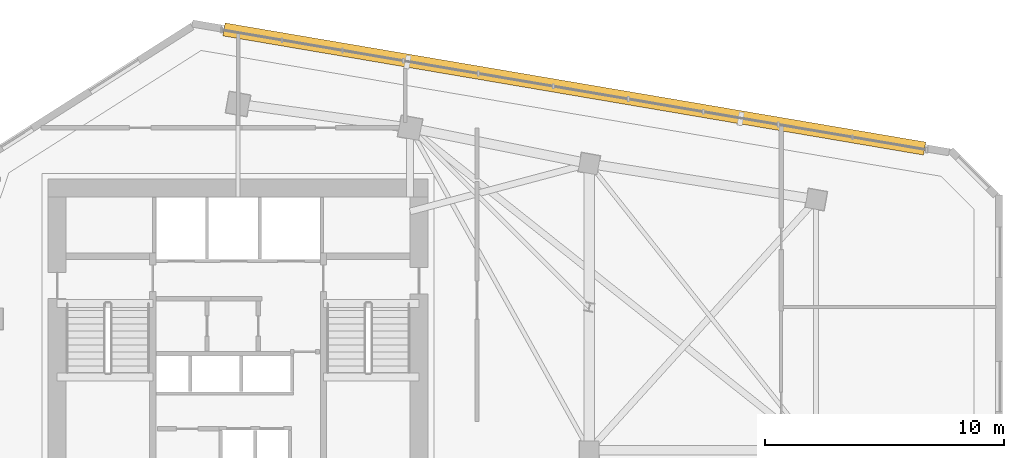
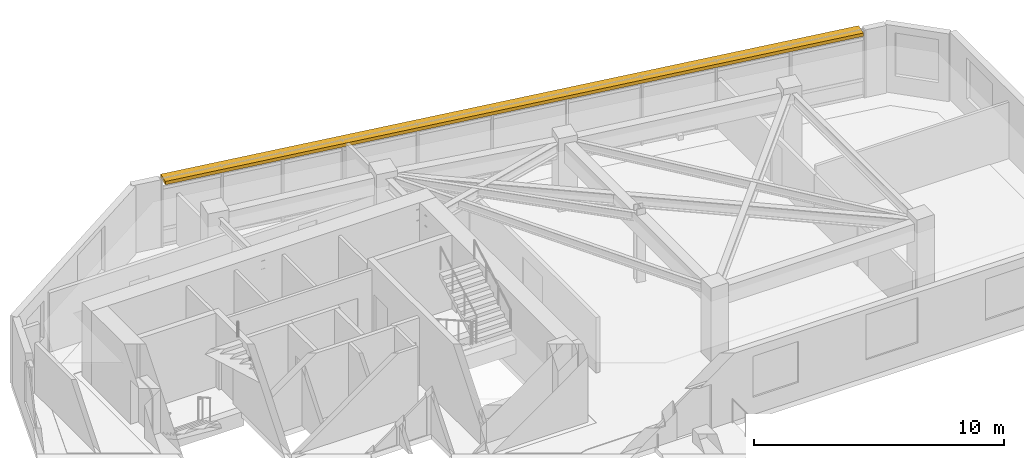
# One storey, part 12 of 12: 1 shading device.
"""IFC4 building model written with IfcOpenShell, lengths in metres."""

from ifc_helpers import new_model, si_unit, direction, frame, frame_2d, origin, place, context, subcontext, project, spatial, rectangle, extrude, material, type_object, element, save


model = new_model("IFC4")

# Units and contexts
model_context = context("Model", 3, precision=1e-05, world=origin(), true_north=direction((0.0, 1.0)))
body_context = subcontext(model_context, "Body", "Model", "MODEL_VIEW")
ifc_project = project(units=[si_unit("LENGTHUNIT", "METRE"), si_unit("AREAUNIT", "SQUARE_METRE"), si_unit("VOLUMEUNIT", "CUBIC_METRE"), si_unit("PLANEANGLEUNIT", "RADIAN"), si_unit("MASSUNIT", "GRAM", prefix="KILO")], contexts=[model_context])

# Site, building, storey
site_placement = place(None, origin())
site = spatial("IfcSite", under=ifc_project, at=site_placement, CompositionType="ELEMENT")
building_placement = place(site_placement, origin())
building = spatial("IfcBuilding", under=site, at=building_placement, Name="Calvemar Wedge Station Tower", CompositionType="ELEMENT")
storey_placement = place(building_placement, frame((0.0, 0.0, 135.800048828125)))
storey = spatial("IfcBuildingStorey", under=building, at=storey_placement, Name="L33", CompositionType="ELEMENT", Elevation=135.800048828125)

# Shading device
ifc_material = material(Name="Precast concrete C45", Category="concrete")
shading_device_type = type_object("IfcShadingDeviceType", Name="SHD-EYEBROW-1", PredefinedType="SHUTTER", material=ifc_material)
shading_device_placement = place(storey_placement, frame((52.54150390625, 47.633544921875, 3.119873046875), z_axis=(0.0, 0.0, 1.0), x_axis=(-0.985845160577, 0.167658341178, 0.0)))
element("IfcShadingDevice", 1, at=shading_device_placement, inside=storey, type_object=shading_device_type, Name="Storey L33 Bronze GFRC Solar Eyebrow 10", PredefinedType="SHUTTER", context=body_context, shape_type="SweptSolid", body=[
    extrude(rectangle(XDim=29.751220703125, YDim=0.550048828125, at=frame_2d((14.87548828125, 0.0))), origin(), (0.0, 0.0, 1.0), 0.16015625),
])

save(model, "model.ifc")
